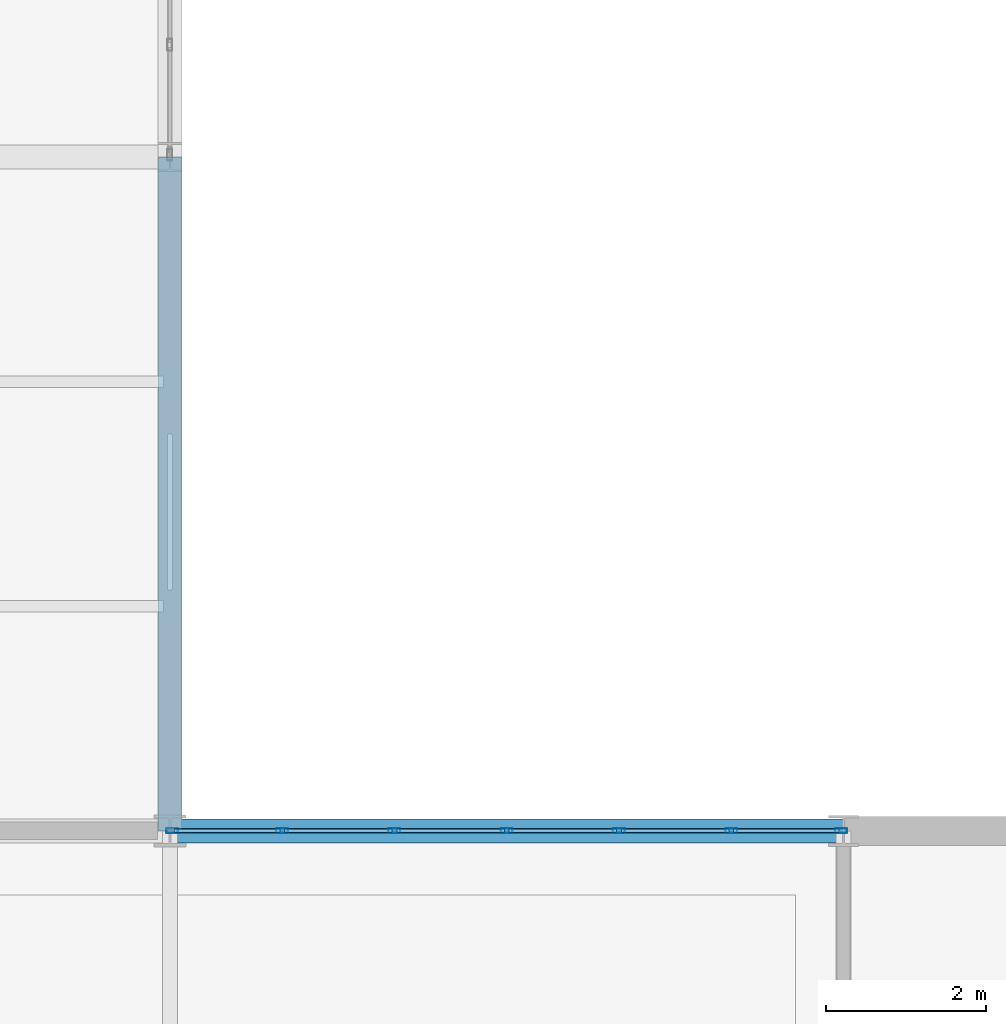
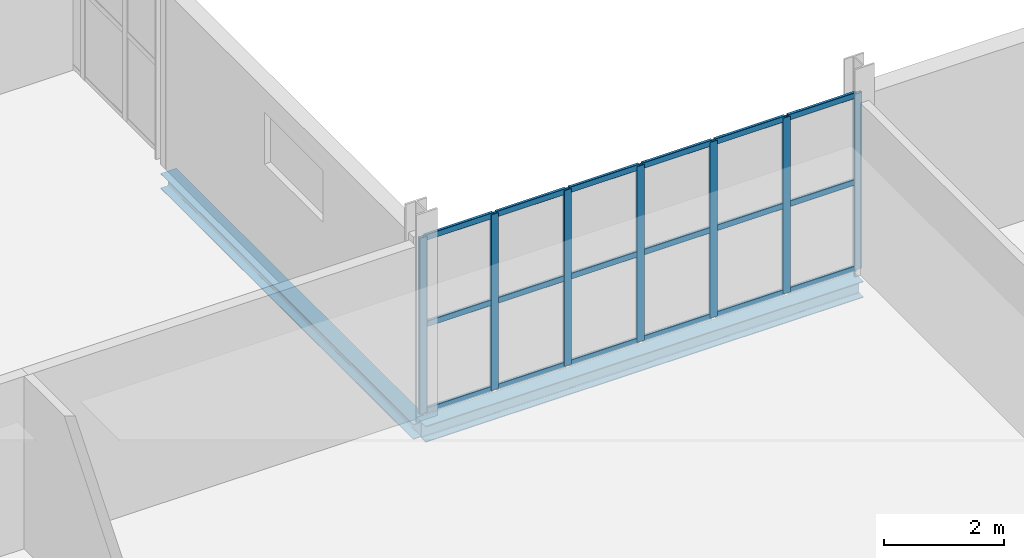
# One storey, part 44 of 163: 25 members, 2 beams, 1 element without a shape of its own.
"""IFC4 building model written with IfcOpenShell, lengths in metres."""

from ifc_helpers import new_model, si_unit, direction, frame, origin, origin_2d, place, context, subcontext, project, spatial, hollow_rectangle, i_section, extrude, material, layer, layer_set, material_profile, profile_set, type_object, element, aggregate, save


model = new_model("IFC4")

# Units and contexts
model_context = context("Model", 3, precision=1e-05, world=origin(), true_north=direction((0.0, 1.0)))
body_context = subcontext(model_context, "Body", "Model", "MODEL_VIEW")
ifc_project = project(units=[si_unit("LENGTHUNIT", "METRE"), si_unit("AREAUNIT", "SQUARE_METRE"), si_unit("VOLUMEUNIT", "CUBIC_METRE"), si_unit("PLANEANGLEUNIT", "RADIAN"), si_unit("MASSUNIT", "GRAM", prefix="KILO")], contexts=[model_context])

# Site, building, storey
site_placement = place(None, origin())
site = spatial("IfcSite", under=ifc_project, at=site_placement, CompositionType="ELEMENT")
building_placement = place(site_placement, origin())
building = spatial("IfcBuilding", under=site, at=building_placement, Name="Qalvenar Corner Mobility Hub", CompositionType="ELEMENT")
storey_placement = place(building_placement, frame((0.0, 0.0, 4.800048828125)))
storey = spatial("IfcBuildingStorey", under=building, at=storey_placement, Name="L01", CompositionType="ELEMENT", Elevation=4.800048828125)

# Beams
ifc_material_1 = material(Name="Steel S355", Category="steel")
ifc_material_profile_1 = material_profile(ifc_material_1, i_section(OverallWidth=0.300048828125, OverallDepth=0.31005859375, WebThickness=0.009033203125, FlangeThickness=0.015380859375, FilletRadius=0.027099609375, at=origin_2d()), Name="HEA320")
ifc_profile_set_1 = profile_set([ifc_material_profile_1], Name="Steel S355")
beam_type_1 = type_object("IfcBeamType", Name="BM-SPN320", PredefinedType="SPANDREL", material=ifc_profile_set_1)
beam_1_placement = place(storey_placement, frame((33.60009765625, 42.0, -0.3349609375), z_axis=(0.0, 1.0, 0.0), x_axis=(-1.0, 0.0, 0.0)))
element("IfcBeam", 1, at=beam_1_placement, inside=storey, type_object=beam_type_1, Name="Primary Steel Girder GY-1204", PredefinedType="SPANDREL", context=body_context, shape_type="SweptSolid", body=[
    extrude(i_section(OverallWidth=0.300048828125, OverallDepth=0.31005859375, WebThickness=0.009033203125, FlangeThickness=0.015380859375, FilletRadius=0.027099609375, at=origin_2d()), origin(), (0.0, 0.0, 1.0), 8.39990234375),
])
ifc_material_profile_2 = material_profile(ifc_material_1, i_section(OverallWidth=0.300048828125, OverallDepth=0.330078125, WebThickness=0.009521484375, FlangeThickness=0.0166015625, FilletRadius=0.027099609375, at=origin_2d()), Name="HEA340")
ifc_profile_set_2 = profile_set([ifc_material_profile_2], Name="Steel S355")
beam_type_2 = type_object("IfcBeamType", Name="BM-SPN340", PredefinedType="SPANDREL", material=ifc_profile_set_2)
beam_2_placement = place(storey_placement, frame((33.60009765625, 42.0, -0.344970703125), z_axis=(1.0, 0.0, 0.0), x_axis=(0.0, 1.0, 0.0)))
element("IfcBeam", 2, at=beam_2_placement, inside=storey, type_object=beam_type_2, Name="Primary Steel Girder GX-0849", PredefinedType="SPANDREL", context=body_context, shape_type="SweptSolid", body=[
    extrude(i_section(OverallWidth=0.300048828125, OverallDepth=0.330078125, WebThickness=0.009521484375, FlangeThickness=0.0166015625, FilletRadius=0.027099609375, at=origin_2d()), origin(), (0.0, 0.0, 1.0), 8.39990234375),
])

# Curtain wall, members
ifc_material_2 = material(Name="Anodised Aluminium and Low-E Glazing", Category="aluminium")
ifc_layer = layer(ifc_material_2, 0.14990234375)
ifc_layer_set = layer_set([ifc_layer], Name="Anodised Aluminium and Low-E Glazing")
curtain_wall_type = type_object("IfcCurtainWallType", Name="CW-CIV-84X40", PredefinedType="NOTDEFINED", material=ifc_layer_set)
curtain_wall_placement = place(storey_placement, origin())
curtain_wall = element("IfcCurtainWall", 3, at=curtain_wall_placement, inside=storey, type_object=curtain_wall_type, Name="Glazed Curtain Wall CW-V3-L01-N4", PredefinedType="NOTDEFINED")
ifc_material_3 = material(Name="Anodised Aluminium 6063-T6", Category="aluminium")
ifc_material_profile_3 = material_profile(ifc_material_3, hollow_rectangle(XDim=0.06005859375, YDim=0.14990234375, WallThickness=0.00390625, InnerFilletRadius=0.00390625, OuterFilletRadius=0.008056640625, at=origin_2d()), Name="RHS150x60x4")
ifc_profile_set_3 = profile_set([ifc_material_profile_3], Name="Anodised Aluminium 6063-T6")
member_type_1 = type_object("IfcMemberType", Name="CW-MUL150", PredefinedType="MULLION", material=ifc_profile_set_3)
member_1_placement = place(storey_placement, frame((41.969970703125, 42.0, 0.0), z_axis=(0.0, 0.0, 1.0), x_axis=(0.0, -1.0, 0.0)))
member_1 = element("IfcMember", 4, at=member_1_placement, type_object=member_type_1, Name="CW-05 mullion 1", PredefinedType="MULLION", context=body_context, shape_type="SweptSolid", body=[
    extrude(hollow_rectangle(XDim=0.06005859375, YDim=0.14990234375, WallThickness=0.00390625, InnerFilletRadius=0.00390625, OuterFilletRadius=0.008056640625, at=origin_2d()), origin(), (0.0, 0.0, 1.0), 3.570068359375),
])
member_2_placement = place(storey_placement, frame((40.60009765625, 42.0, 0.0), z_axis=(0.0, 0.0, 1.0), x_axis=(0.0, -1.0, 0.0)))
member_2 = element("IfcMember", 5, at=member_2_placement, type_object=member_type_1, Name="CW-05 mullion 2", PredefinedType="MULLION", context=body_context, shape_type="SweptSolid", body=[
    extrude(hollow_rectangle(XDim=0.06005859375, YDim=0.14990234375, WallThickness=0.00390625, InnerFilletRadius=0.00390625, OuterFilletRadius=0.008056640625, at=origin_2d()), origin(), (0.0, 0.0, 1.0), 3.570068359375),
])
member_3_placement = place(storey_placement, frame((39.199951171875, 42.0, 0.0), z_axis=(0.0, 0.0, 1.0), x_axis=(0.0, -1.0, 0.0)))
member_3 = element("IfcMember", 6, at=member_3_placement, type_object=member_type_1, Name="CW-05 mullion 3", PredefinedType="MULLION", context=body_context, shape_type="SweptSolid", body=[
    extrude(hollow_rectangle(XDim=0.06005859375, YDim=0.14990234375, WallThickness=0.00390625, InnerFilletRadius=0.00390625, OuterFilletRadius=0.008056640625, at=origin_2d()), origin(), (0.0, 0.0, 1.0), 3.570068359375),
])
member_4_placement = place(storey_placement, frame((37.800048828125, 42.0, 0.0), z_axis=(0.0, 0.0, 1.0), x_axis=(0.0, -1.0, 0.0)))
member_4 = element("IfcMember", 7, at=member_4_placement, type_object=member_type_1, Name="CW-05 mullion 4", PredefinedType="MULLION", context=body_context, shape_type="SweptSolid", body=[
    extrude(hollow_rectangle(XDim=0.06005859375, YDim=0.14990234375, WallThickness=0.00390625, InnerFilletRadius=0.00390625, OuterFilletRadius=0.008056640625, at=origin_2d()), origin(), (0.0, 0.0, 1.0), 3.570068359375),
])
member_5_placement = place(storey_placement, frame((36.39990234375, 42.0, 0.0), z_axis=(0.0, 0.0, 1.0), x_axis=(0.0, -1.0, 0.0)))
member_5 = element("IfcMember", 8, at=member_5_placement, type_object=member_type_1, Name="CW-05 mullion 5", PredefinedType="MULLION", context=body_context, shape_type="SweptSolid", body=[
    extrude(hollow_rectangle(XDim=0.06005859375, YDim=0.14990234375, WallThickness=0.00390625, InnerFilletRadius=0.00390625, OuterFilletRadius=0.008056640625, at=origin_2d()), origin(), (0.0, 0.0, 1.0), 3.570068359375),
])
member_6_placement = place(storey_placement, frame((35.0, 42.0, 0.0), z_axis=(0.0, 0.0, 1.0), x_axis=(0.0, -1.0, 0.0)))
member_6 = element("IfcMember", 9, at=member_6_placement, type_object=member_type_1, Name="CW-05 mullion 6", PredefinedType="MULLION", context=body_context, shape_type="SweptSolid", body=[
    extrude(hollow_rectangle(XDim=0.06005859375, YDim=0.14990234375, WallThickness=0.00390625, InnerFilletRadius=0.00390625, OuterFilletRadius=0.008056640625, at=origin_2d()), origin(), (0.0, 0.0, 1.0), 3.570068359375),
])
member_7_placement = place(storey_placement, frame((33.6298828125, 42.0, 0.0), z_axis=(0.0, 0.0, 1.0), x_axis=(0.0, -1.0, 0.0)))
member_7 = element("IfcMember", 10, at=member_7_placement, type_object=member_type_1, Name="CW-05 mullion 7", PredefinedType="MULLION", context=body_context, shape_type="SweptSolid", body=[
    extrude(hollow_rectangle(XDim=0.06005859375, YDim=0.14990234375, WallThickness=0.00390625, InnerFilletRadius=0.00390625, OuterFilletRadius=0.008056640625, at=origin_2d()), origin(), (0.0, 0.0, 1.0), 3.570068359375),
])
ifc_material_profile_4 = material_profile(ifc_material_3, hollow_rectangle(XDim=0.054931640625, YDim=0.1201171875, WallThickness=0.00341796875, InnerFilletRadius=0.00341796875, OuterFilletRadius=0.007080078125, at=origin_2d()), Name="RHS120x55x3.5")
ifc_profile_set_4 = profile_set([ifc_material_profile_4], Name="Anodised Aluminium 6063-T6")
member_type_2 = type_object("IfcMemberType", Name="CW-TRN120", PredefinedType="USERDEFINED", material=ifc_profile_set_4)
member_8_placement = place(storey_placement, frame((41.93994140625, 42.0, 0.02734375), z_axis=(-1.0, 0.0, 0.0), x_axis=(0.0, -1.0, 0.0)))
member_8 = element("IfcMember", 11, at=member_8_placement, type_object=member_type_2, Name="CW-05 transom 1.1", ObjectType="TRANSOM", PredefinedType="USERDEFINED", context=body_context, shape_type="SweptSolid", body=[
    extrude(hollow_rectangle(XDim=0.054931640625, YDim=0.1201171875, WallThickness=0.00341796875, InnerFilletRadius=0.00341796875, OuterFilletRadius=0.007080078125, at=origin_2d()), origin(), (0.0, 0.0, 1.0), 1.31005859375),
])
member_9_placement = place(storey_placement, frame((41.93994140625, 42.0, 1.784912109375), z_axis=(-1.0, 0.0, 0.0), x_axis=(0.0, -1.0, 0.0)))
member_9 = element("IfcMember", 12, at=member_9_placement, type_object=member_type_2, Name="CW-05 transom 1.2", ObjectType="TRANSOM", PredefinedType="USERDEFINED", context=body_context, shape_type="SweptSolid", body=[
    extrude(hollow_rectangle(XDim=0.054931640625, YDim=0.1201171875, WallThickness=0.00341796875, InnerFilletRadius=0.00341796875, OuterFilletRadius=0.007080078125, at=origin_2d()), origin(), (0.0, 0.0, 1.0), 1.31005859375),
])
member_10_placement = place(storey_placement, frame((41.93994140625, 42.0, 3.54248046875), z_axis=(-1.0, 0.0, 0.0), x_axis=(0.0, -1.0, 0.0)))
member_10 = element("IfcMember", 13, at=member_10_placement, type_object=member_type_2, Name="CW-05 transom 1.3", ObjectType="TRANSOM", PredefinedType="USERDEFINED", context=body_context, shape_type="SweptSolid", body=[
    extrude(hollow_rectangle(XDim=0.054931640625, YDim=0.1201171875, WallThickness=0.00341796875, InnerFilletRadius=0.00341796875, OuterFilletRadius=0.007080078125, at=origin_2d()), origin(), (0.0, 0.0, 1.0), 1.31005859375),
])
member_11_placement = place(storey_placement, frame((40.570068359375, 42.0, 0.02734375), z_axis=(-1.0, 0.0, 0.0), x_axis=(0.0, -1.0, 0.0)))
member_11 = element("IfcMember", 14, at=member_11_placement, type_object=member_type_2, Name="CW-05 transom 2.1", ObjectType="TRANSOM", PredefinedType="USERDEFINED", context=body_context, shape_type="SweptSolid", body=[
    extrude(hollow_rectangle(XDim=0.054931640625, YDim=0.1201171875, WallThickness=0.00341796875, InnerFilletRadius=0.00341796875, OuterFilletRadius=0.007080078125, at=origin_2d()), origin(), (0.0, 0.0, 1.0), 1.340087890625),
])
member_12_placement = place(storey_placement, frame((40.570068359375, 42.0, 1.784912109375), z_axis=(-1.0, 0.0, 0.0), x_axis=(0.0, -1.0, 0.0)))
member_12 = element("IfcMember", 15, at=member_12_placement, type_object=member_type_2, Name="CW-05 transom 2.2", ObjectType="TRANSOM", PredefinedType="USERDEFINED", context=body_context, shape_type="SweptSolid", body=[
    extrude(hollow_rectangle(XDim=0.054931640625, YDim=0.1201171875, WallThickness=0.00341796875, InnerFilletRadius=0.00341796875, OuterFilletRadius=0.007080078125, at=origin_2d()), origin(), (0.0, 0.0, 1.0), 1.340087890625),
])
member_13_placement = place(storey_placement, frame((40.570068359375, 42.0, 3.54248046875), z_axis=(-1.0, 0.0, 0.0), x_axis=(0.0, -1.0, 0.0)))
member_13 = element("IfcMember", 16, at=member_13_placement, type_object=member_type_2, Name="CW-05 transom 2.3", ObjectType="TRANSOM", PredefinedType="USERDEFINED", context=body_context, shape_type="SweptSolid", body=[
    extrude(hollow_rectangle(XDim=0.054931640625, YDim=0.1201171875, WallThickness=0.00341796875, InnerFilletRadius=0.00341796875, OuterFilletRadius=0.007080078125, at=origin_2d()), origin(), (0.0, 0.0, 1.0), 1.340087890625),
])
member_14_placement = place(storey_placement, frame((39.169921875, 42.0, 0.02734375), z_axis=(-1.0, 0.0, 0.0), x_axis=(0.0, -1.0, 0.0)))
member_14 = element("IfcMember", 17, at=member_14_placement, type_object=member_type_2, Name="CW-05 transom 3.1", ObjectType="TRANSOM", PredefinedType="USERDEFINED", context=body_context, shape_type="SweptSolid", body=[
    extrude(hollow_rectangle(XDim=0.054931640625, YDim=0.1201171875, WallThickness=0.00341796875, InnerFilletRadius=0.00341796875, OuterFilletRadius=0.007080078125, at=origin_2d()), origin(), (0.0, 0.0, 1.0), 1.33984375),
])
member_15_placement = place(storey_placement, frame((39.169921875, 42.0, 1.784912109375), z_axis=(-1.0, 0.0, 0.0), x_axis=(0.0, -1.0, 0.0)))
member_15 = element("IfcMember", 18, at=member_15_placement, type_object=member_type_2, Name="CW-05 transom 3.2", ObjectType="TRANSOM", PredefinedType="USERDEFINED", context=body_context, shape_type="SweptSolid", body=[
    extrude(hollow_rectangle(XDim=0.054931640625, YDim=0.1201171875, WallThickness=0.00341796875, InnerFilletRadius=0.00341796875, OuterFilletRadius=0.007080078125, at=origin_2d()), origin(), (0.0, 0.0, 1.0), 1.33984375),
])
member_16_placement = place(storey_placement, frame((39.169921875, 42.0, 3.54248046875), z_axis=(-1.0, 0.0, 0.0), x_axis=(0.0, -1.0, 0.0)))
member_16 = element("IfcMember", 19, at=member_16_placement, type_object=member_type_2, Name="CW-05 transom 3.3", ObjectType="TRANSOM", PredefinedType="USERDEFINED", context=body_context, shape_type="SweptSolid", body=[
    extrude(hollow_rectangle(XDim=0.054931640625, YDim=0.1201171875, WallThickness=0.00341796875, InnerFilletRadius=0.00341796875, OuterFilletRadius=0.007080078125, at=origin_2d()), origin(), (0.0, 0.0, 1.0), 1.33984375),
])
member_17_placement = place(storey_placement, frame((37.77001953125, 42.0, 0.02734375), z_axis=(-1.0, 0.0, 0.0), x_axis=(0.0, -1.0, 0.0)))
member_17 = element("IfcMember", 20, at=member_17_placement, type_object=member_type_2, Name="CW-05 transom 4.1", ObjectType="TRANSOM", PredefinedType="USERDEFINED", context=body_context, shape_type="SweptSolid", body=[
    extrude(hollow_rectangle(XDim=0.054931640625, YDim=0.1201171875, WallThickness=0.00341796875, InnerFilletRadius=0.00341796875, OuterFilletRadius=0.007080078125, at=origin_2d()), origin(), (0.0, 0.0, 1.0), 1.340087890625),
])
member_18_placement = place(storey_placement, frame((37.77001953125, 42.0, 1.784912109375), z_axis=(-1.0, 0.0, 0.0), x_axis=(0.0, -1.0, 0.0)))
member_18 = element("IfcMember", 21, at=member_18_placement, type_object=member_type_2, Name="CW-05 transom 4.2", ObjectType="TRANSOM", PredefinedType="USERDEFINED", context=body_context, shape_type="SweptSolid", body=[
    extrude(hollow_rectangle(XDim=0.054931640625, YDim=0.1201171875, WallThickness=0.00341796875, InnerFilletRadius=0.00341796875, OuterFilletRadius=0.007080078125, at=origin_2d()), origin(), (0.0, 0.0, 1.0), 1.340087890625),
])
member_19_placement = place(storey_placement, frame((37.77001953125, 42.0, 3.54248046875), z_axis=(-1.0, 0.0, 0.0), x_axis=(0.0, -1.0, 0.0)))
member_19 = element("IfcMember", 22, at=member_19_placement, type_object=member_type_2, Name="CW-05 transom 4.3", ObjectType="TRANSOM", PredefinedType="USERDEFINED", context=body_context, shape_type="SweptSolid", body=[
    extrude(hollow_rectangle(XDim=0.054931640625, YDim=0.1201171875, WallThickness=0.00341796875, InnerFilletRadius=0.00341796875, OuterFilletRadius=0.007080078125, at=origin_2d()), origin(), (0.0, 0.0, 1.0), 1.340087890625),
])
member_20_placement = place(storey_placement, frame((36.3701171875, 42.0, 0.02734375), z_axis=(-1.0, 0.0, 0.0), x_axis=(0.0, -1.0, 0.0)))
member_20 = element("IfcMember", 23, at=member_20_placement, type_object=member_type_2, Name="CW-05 transom 5.1", ObjectType="TRANSOM", PredefinedType="USERDEFINED", context=body_context, shape_type="SweptSolid", body=[
    extrude(hollow_rectangle(XDim=0.054931640625, YDim=0.1201171875, WallThickness=0.00341796875, InnerFilletRadius=0.00341796875, OuterFilletRadius=0.007080078125, at=origin_2d()), origin(), (0.0, 0.0, 1.0), 1.340087890625),
])
member_21_placement = place(storey_placement, frame((36.3701171875, 42.0, 1.784912109375), z_axis=(-1.0, 0.0, 0.0), x_axis=(0.0, -1.0, 0.0)))
member_21 = element("IfcMember", 24, at=member_21_placement, type_object=member_type_2, Name="CW-05 transom 5.2", ObjectType="TRANSOM", PredefinedType="USERDEFINED", context=body_context, shape_type="SweptSolid", body=[
    extrude(hollow_rectangle(XDim=0.054931640625, YDim=0.1201171875, WallThickness=0.00341796875, InnerFilletRadius=0.00341796875, OuterFilletRadius=0.007080078125, at=origin_2d()), origin(), (0.0, 0.0, 1.0), 1.340087890625),
])
member_22_placement = place(storey_placement, frame((36.3701171875, 42.0, 3.54248046875), z_axis=(-1.0, 0.0, 0.0), x_axis=(0.0, -1.0, 0.0)))
member_22 = element("IfcMember", 25, at=member_22_placement, type_object=member_type_2, Name="CW-05 transom 5.3", ObjectType="TRANSOM", PredefinedType="USERDEFINED", context=body_context, shape_type="SweptSolid", body=[
    extrude(hollow_rectangle(XDim=0.054931640625, YDim=0.1201171875, WallThickness=0.00341796875, InnerFilletRadius=0.00341796875, OuterFilletRadius=0.007080078125, at=origin_2d()), origin(), (0.0, 0.0, 1.0), 1.340087890625),
])
member_23_placement = place(storey_placement, frame((34.969970703125, 42.0, 0.02734375), z_axis=(-1.0, 0.0, 0.0), x_axis=(0.0, -1.0, 0.0)))
member_23 = element("IfcMember", 26, at=member_23_placement, type_object=member_type_2, Name="CW-05 transom 6.1", ObjectType="TRANSOM", PredefinedType="USERDEFINED", context=body_context, shape_type="SweptSolid", body=[
    extrude(hollow_rectangle(XDim=0.054931640625, YDim=0.1201171875, WallThickness=0.00341796875, InnerFilletRadius=0.00341796875, OuterFilletRadius=0.007080078125, at=origin_2d()), origin(), (0.0, 0.0, 1.0), 1.31005859375),
])
member_24_placement = place(storey_placement, frame((34.969970703125, 42.0, 1.784912109375), z_axis=(-1.0, 0.0, 0.0), x_axis=(0.0, -1.0, 0.0)))
member_24 = element("IfcMember", 27, at=member_24_placement, type_object=member_type_2, Name="CW-05 transom 6.2", ObjectType="TRANSOM", PredefinedType="USERDEFINED", context=body_context, shape_type="SweptSolid", body=[
    extrude(hollow_rectangle(XDim=0.054931640625, YDim=0.1201171875, WallThickness=0.00341796875, InnerFilletRadius=0.00341796875, OuterFilletRadius=0.007080078125, at=origin_2d()), origin(), (0.0, 0.0, 1.0), 1.31005859375),
])
member_25_placement = place(storey_placement, frame((34.969970703125, 42.0, 3.54248046875), z_axis=(-1.0, 0.0, 0.0), x_axis=(0.0, -1.0, 0.0)))
member_25 = element("IfcMember", 28, at=member_25_placement, type_object=member_type_2, Name="CW-05 transom 6.3", ObjectType="TRANSOM", PredefinedType="USERDEFINED", context=body_context, shape_type="SweptSolid", body=[
    extrude(hollow_rectangle(XDim=0.054931640625, YDim=0.1201171875, WallThickness=0.00341796875, InnerFilletRadius=0.00341796875, OuterFilletRadius=0.007080078125, at=origin_2d()), origin(), (0.0, 0.0, 1.0), 1.31005859375),
])
aggregate(curtain_wall, [member_1, member_2, member_3, member_4, member_5, member_6, member_7, member_8, member_9, member_10, member_11, member_12, member_13, member_14, member_15, member_16, member_17, member_18, member_19, member_20, member_21, member_22, member_23, member_24, member_25])

save(model, "model.ifc")
